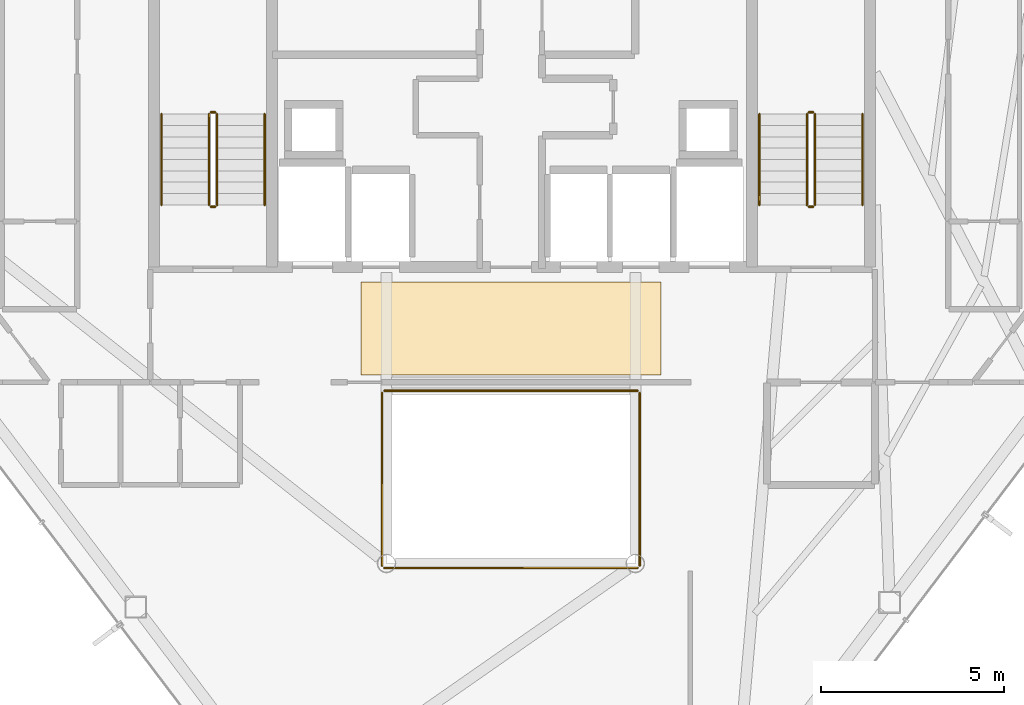
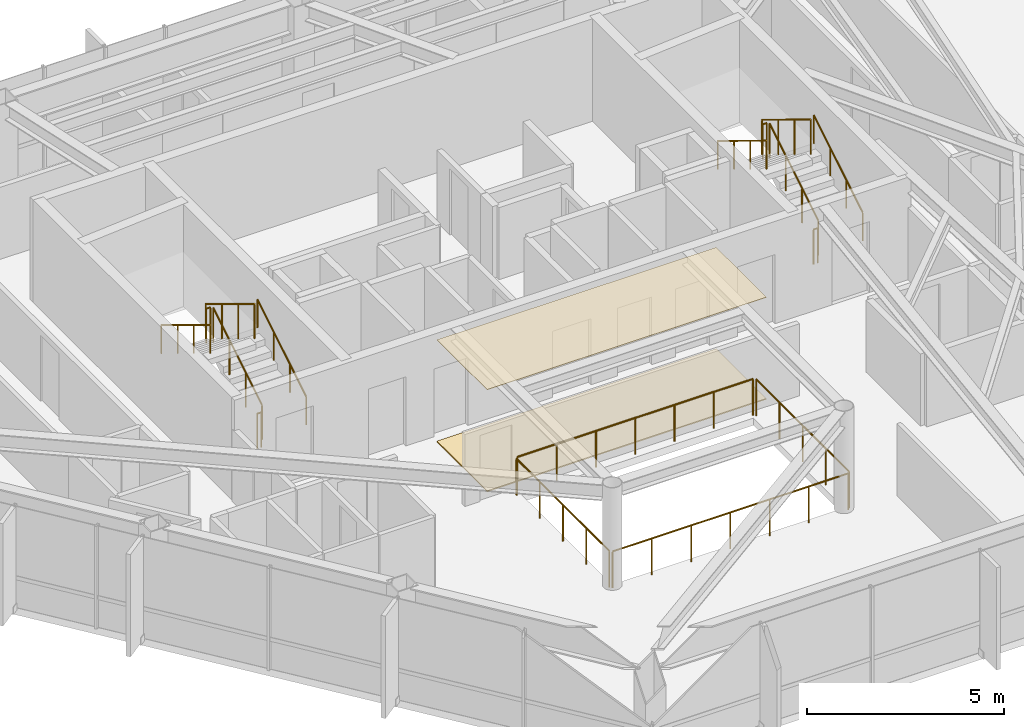
# One storey, part 25 of 25: 16 railings, 2 coverings.
"""IFC4 building model written with IfcOpenShell, lengths in metres."""

from ifc_helpers import new_model, si_unit, direction, frame, origin, origin_2d, place, context, subcontext, project, spatial, polyline, circle, outline, extrude, material, layer, layer_set, type_object, element, save


model = new_model("IFC4")

# Units and contexts
model_context = context("Model", 3, precision=1e-05, world=origin(), true_north=direction((0.0, 1.0)))
body_context = subcontext(model_context, "Body", "Model", "MODEL_VIEW")
ifc_project = project(units=[si_unit("LENGTHUNIT", "METRE"), si_unit("AREAUNIT", "SQUARE_METRE"), si_unit("VOLUMEUNIT", "CUBIC_METRE"), si_unit("PLANEANGLEUNIT", "RADIAN"), si_unit("MASSUNIT", "GRAM", prefix="KILO")], contexts=[model_context])

# Site, building, storey
site_placement = place(None, origin())
site = spatial("IfcSite", under=ifc_project, at=site_placement, CompositionType="ELEMENT")
building_placement = place(site_placement, origin())
building = spatial("IfcBuilding", under=site, at=building_placement, Name="Zarrinselat Tower", CompositionType="ELEMENT")
storey_placement = place(building_placement, frame((0.0, 0.0, 212.159912109375)))
storey = spatial("IfcBuildingStorey", under=building, at=storey_placement, Name="L52", CompositionType="ELEMENT", Elevation=212.159912109375)

# Coverings
ifc_material_1 = material(Name="Fire-Rated Gypsum Board Partition")
ifc_layer_1 = layer(ifc_material_1, 0.014892578125)
ifc_layer_set_1 = layer_set([ifc_layer_1], Name="Fire-Rated Gypsum Board Partition")
covering_type_1 = type_object("IfcCoveringType", Name="COV-CLG-AC15", PredefinedType="CEILING", material=ifc_layer_set_1)
covering_1_placement = place(storey_placement, frame((0.0, 0.0, 3.1650390625)))
element("IfcCovering", 1, at=covering_1_placement, inside=storey, type_object=covering_type_1, Name="L52 Lift Lobby Acoustic Ceiling", PredefinedType="CEILING", context=body_context, shape_type="SweptSolid", body=[
    extrude(outline(polyline([(34.300048828125, 30.35009765625), (42.5, 30.35009765625), (42.5, 32.89990234375), (34.300048828125, 32.89990234375), (34.300048828125, 30.35009765625)])), origin(), (0.0, 0.0, 1.0), 0.01513671875),
])
ifc_material_2 = material(Name="Precast concrete C40/50", Category="concrete")
ifc_layer_2 = layer(ifc_material_2, 0.034912109375)
ifc_layer_set_2 = layer_set([ifc_layer_2], Name="Precast concrete C40/50")
covering_type_2 = type_object("IfcCoveringType", Name="COV-FLR-CP35", PredefinedType="FLOORING", material=ifc_layer_set_2)
covering_2_placement = place(storey_placement, origin())
element("IfcCovering", 2, at=covering_2_placement, inside=storey, type_object=covering_type_2, Name="L52 Lift Lobby Stone Flooring", PredefinedType="FLOORING", context=body_context, shape_type="SweptSolid", body=[
    extrude(outline(polyline([(34.300048828125, 30.35009765625), (42.5, 30.35009765625), (42.5, 32.89990234375), (34.300048828125, 32.89990234375), (34.300048828125, 30.35009765625)])), origin(), (0.0, 0.0, 1.0), 0.03515625),
])

# Railings
ifc_material_3 = material(Name="Double Low-E Laminated Solar Glass", Category="glass")
railing_type_1 = type_object("IfcRailingType", Name="RLG-ATRIUM-BAL", PredefinedType="BALUSTRADE", material=ifc_material_3)
railing_1_placement = place(storey_placement, frame((34.93994140625, 25.080078125, 0.0)))
element("IfcRailing", 3, at=railing_1_placement, inside=storey, type_object=railing_type_1, Name="L52 Atrium Void Glass Balustrade S", PredefinedType="BALUSTRADE", context=body_context, shape_type="SweptSolid", body=[
    extrude(circle(Radius=0.02392578125, at=origin_2d()), frame((0.0, 0.0, 1.1259765625), z_axis=(1.0, 0.0, 0.0), x_axis=(0.0, 1.0, 0.0)), (0.0, 0.0, 1.0), 6.920166015625),
    extrude(circle(Radius=0.02099609375, at=origin_2d()), origin(), (0.0, 0.0, 1.0), 1.099853515625),
    extrude(circle(Radius=0.02099609375, at=origin_2d()), frame((1.1533203125, 0.0, 0.0)), (0.0, 0.0, 1.0), 1.099853515625),
    extrude(circle(Radius=0.02099609375, at=origin_2d()), frame((2.306640625, 0.0, 0.0)), (0.0, 0.0, 1.0), 1.099853515625),
    extrude(circle(Radius=0.02099609375, at=origin_2d()), frame((3.4599609375, 0.0, 0.0)), (0.0, 0.0, 1.0), 1.099853515625),
    extrude(circle(Radius=0.02099609375, at=origin_2d()), frame((4.613525390625, 0.0, 0.0)), (0.0, 0.0, 1.0), 1.099853515625),
    extrude(circle(Radius=0.02099609375, at=origin_2d()), frame((5.766845703125, 0.0, 0.0)), (0.0, 0.0, 1.0), 1.099853515625),
    extrude(circle(Radius=0.02099609375, at=origin_2d()), frame((6.920166015625, 0.0, 0.0)), (0.0, 0.0, 1.0), 1.099853515625),
])
railing_2_placement = place(storey_placement, frame((41.919921875, 25.139892578125, 0.0)))
element("IfcRailing", 4, at=railing_2_placement, inside=storey, type_object=railing_type_1, Name="L52 Atrium Void Glass Balustrade E", PredefinedType="BALUSTRADE", context=body_context, shape_type="SweptSolid", body=[
    extrude(circle(Radius=0.02392578125, at=origin_2d()), frame((0.0, 0.0, 1.1259765625), z_axis=(0.0, 1.0, 0.0), x_axis=(-1.0, 0.0, 0.0)), (0.0, 0.0, 1.0), 4.72021484375),
    extrude(circle(Radius=0.02099609375, at=origin_2d()), origin(), (0.0, 0.0, 1.0), 1.099853515625),
    extrude(circle(Radius=0.02099609375, at=origin_2d()), frame((0.0, 1.18017578125, 0.0)), (0.0, 0.0, 1.0), 1.099853515625),
    extrude(circle(Radius=0.02099609375, at=origin_2d()), frame((0.0, 2.360107421875, 0.0)), (0.0, 0.0, 1.0), 1.099853515625),
    extrude(circle(Radius=0.02099609375, at=origin_2d()), frame((0.0, 3.5400390625, 0.0)), (0.0, 0.0, 1.0), 1.099853515625),
    extrude(circle(Radius=0.02099609375, at=origin_2d()), frame((0.0, 4.72021484375, 0.0)), (0.0, 0.0, 1.0), 1.099853515625),
])
railing_3_placement = place(storey_placement, frame((41.860107421875, 29.919921875, 0.0)))
element("IfcRailing", 5, at=railing_3_placement, inside=storey, type_object=railing_type_1, Name="L52 Atrium Void Glass Balustrade N", PredefinedType="BALUSTRADE", context=body_context, shape_type="SweptSolid", body=[
    extrude(circle(Radius=0.02392578125, at=origin_2d()), frame((0.0, 0.0, 1.1259765625), z_axis=(-1.0, 0.0, 0.0), x_axis=(0.0, -1.0, 0.0)), (0.0, 0.0, 1.0), 6.920166015625),
    extrude(circle(Radius=0.02099609375, at=origin_2d()), origin(), (0.0, 0.0, 1.0), 1.099853515625),
    extrude(circle(Radius=0.02099609375, at=origin_2d()), frame((-1.1533203125, 0.0, 0.0)), (0.0, 0.0, 1.0), 1.099853515625),
    extrude(circle(Radius=0.02099609375, at=origin_2d()), frame((-2.306640625, 0.0, 0.0)), (0.0, 0.0, 1.0), 1.099853515625),
    extrude(circle(Radius=0.02099609375, at=origin_2d()), frame((-3.4599609375, 0.0, 0.0)), (0.0, 0.0, 1.0), 1.099853515625),
    extrude(circle(Radius=0.02099609375, at=origin_2d()), frame((-4.613525390625, 0.0, 0.0)), (0.0, 0.0, 1.0), 1.099853515625),
    extrude(circle(Radius=0.02099609375, at=origin_2d()), frame((-5.766845703125, 0.0, 0.0)), (0.0, 0.0, 1.0), 1.099853515625),
    extrude(circle(Radius=0.02099609375, at=origin_2d()), frame((-6.920166015625, 0.0, 0.0)), (0.0, 0.0, 1.0), 1.099853515625),
])
railing_4_placement = place(storey_placement, frame((34.8798828125, 29.860107421875, 0.0)))
element("IfcRailing", 6, at=railing_4_placement, inside=storey, type_object=railing_type_1, Name="L52 Atrium Void Glass Balustrade W", PredefinedType="BALUSTRADE", context=body_context, shape_type="SweptSolid", body=[
    extrude(circle(Radius=0.02392578125, at=origin_2d()), frame((0.0, 0.0, 1.1259765625), z_axis=(0.0, -1.0, 0.0), x_axis=(1.0, 0.0, 0.0)), (0.0, 0.0, 1.0), 4.72021484375),
    extrude(circle(Radius=0.02099609375, at=origin_2d()), origin(), (0.0, 0.0, 1.0), 1.099853515625),
    extrude(circle(Radius=0.02099609375, at=origin_2d()), frame((0.0, -1.18017578125, 0.0)), (0.0, 0.0, 1.0), 1.099853515625),
    extrude(circle(Radius=0.02099609375, at=origin_2d()), frame((0.0, -2.360107421875, 0.0)), (0.0, 0.0, 1.0), 1.099853515625),
    extrude(circle(Radius=0.02099609375, at=origin_2d()), frame((0.0, -3.5400390625, 0.0)), (0.0, 0.0, 1.0), 1.099853515625),
    extrude(circle(Radius=0.02099609375, at=origin_2d()), frame((0.0, -4.72021484375, 0.0)), (0.0, 0.0, 1.0), 1.099853515625),
])
ifc_material_4 = material(Name="Steel S355J2", Category="steel")
railing_type_2 = type_object("IfcRailingType", Name="RLG-STAIR-GUARD", PredefinedType="GUARDRAIL", material=ifc_material_4)
railing_5_placement = place(storey_placement, frame((30.3701171875, 35.0, 0.18896484375)))
element("IfcRailing", 7, at=railing_5_placement, inside=storey, type_object=railing_type_2, Name="L52 ST-1 stair guard 1", PredefinedType="GUARDRAIL", context=body_context, shape_type="SweptSolid", body=[
    extrude(circle(Radius=0.02392578125, at=origin_2d()), frame((0.0, 0.0, 1.076171875), z_axis=(0.0, 0.853941963558, 0.520368256982), x_axis=(-1.0, 0.0, 0.0)), (0.0, 0.0, 1.0), 2.904052734375),
    extrude(circle(Radius=0.02099609375, at=origin_2d()), origin(), (0.0, 0.0, 1.0), 1.050048828125),
    extrude(circle(Radius=0.02099609375, at=origin_2d()), frame((0.0, 0.82666015625, 0.503662109375)), (0.0, 0.0, 1.0), 1.050048828125),
    extrude(circle(Radius=0.02099609375, at=origin_2d()), frame((0.0, 1.6533203125, 1.007568359375)), (0.0, 0.0, 1.0), 1.050048828125),
    extrude(circle(Radius=0.02099609375, at=origin_2d()), frame((0.0, 2.47998046875, 1.51123046875)), (0.0, 0.0, 1.0), 1.050048828125),
])
railing_6_placement = place(storey_placement, frame((30.320068359375, 37.530029296875, 1.7001953125)))
element("IfcRailing", 8, at=railing_6_placement, inside=storey, type_object=railing_type_2, Name="L52 ST-1 stair guard 2", PredefinedType="GUARDRAIL", context=body_context, shape_type="SweptSolid", body=[
    extrude(circle(Radius=0.02392578125, at=origin_2d()), frame((0.0, 0.0, 1.076171875), z_axis=(-1.0, 0.0, 0.0), x_axis=(0.0, -1.0, 0.0)), (0.0, 0.0, 1.0), 0.1201171875),
    extrude(circle(Radius=0.02099609375, at=origin_2d()), origin(), (0.0, 0.0, 1.0), 1.050048828125),
    extrude(circle(Radius=0.02099609375, at=origin_2d()), frame((-0.1201171875, 0.0, 0.0)), (0.0, 0.0, 1.0), 1.050048828125),
])
railing_7_placement = place(storey_placement, frame((30.14990234375, 37.47998046875, 1.888916015625)))
element("IfcRailing", 9, at=railing_7_placement, inside=storey, type_object=railing_type_2, Name="L52 ST-1 stair guard 3", PredefinedType="GUARDRAIL", context=body_context, shape_type="SweptSolid", body=[
    extrude(circle(Radius=0.02392578125, at=origin_2d()), frame((0.0, 0.0, 1.076171875), z_axis=(0.0, -0.853941963558, 0.520368256982), x_axis=(1.0, 0.0, 0.0)), (0.0, 0.0, 1.0), 2.904052734375),
    extrude(circle(Radius=0.02099609375, at=origin_2d()), origin(), (0.0, 0.0, 1.0), 1.050048828125),
    extrude(circle(Radius=0.02099609375, at=origin_2d()), frame((0.0, -0.82666015625, 0.503662109375)), (0.0, 0.0, 1.0), 1.050048828125),
    extrude(circle(Radius=0.02099609375, at=origin_2d()), frame((0.0, -1.6533203125, 1.007568359375)), (0.0, 0.0, 1.0), 1.050048828125),
    extrude(circle(Radius=0.02099609375, at=origin_2d()), frame((0.0, -2.47998046875, 1.51123046875)), (0.0, 0.0, 1.0), 1.050048828125),
])
railing_8_placement = place(storey_placement, frame((30.320068359375, 34.949951171875, 0.0)))
element("IfcRailing", 10, at=railing_8_placement, inside=storey, type_object=railing_type_2, Name="L52 ST-1 stair guard 4", PredefinedType="GUARDRAIL", context=body_context, shape_type="SweptSolid", body=[
    extrude(circle(Radius=0.02392578125, at=origin_2d()), frame((0.0, 0.0, 1.076171875), z_axis=(-1.0, 0.0, 0.0), x_axis=(0.0, -1.0, 0.0)), (0.0, 0.0, 1.0), 0.1201171875),
    extrude(circle(Radius=0.02099609375, at=origin_2d()), origin(), (0.0, 0.0, 1.0), 1.050048828125),
    extrude(circle(Radius=0.02099609375, at=origin_2d()), frame((-0.1201171875, 0.0, 0.0)), (0.0, 0.0, 1.0), 1.050048828125),
])
railing_9_placement = place(storey_placement, frame((46.7099609375, 35.0, 0.18896484375)))
element("IfcRailing", 11, at=railing_9_placement, inside=storey, type_object=railing_type_2, Name="L52 ST-2 stair guard 1", PredefinedType="GUARDRAIL", context=body_context, shape_type="SweptSolid", body=[
    extrude(circle(Radius=0.02392578125, at=origin_2d()), frame((0.0, 0.0, 1.076171875), z_axis=(0.0, 0.853941963558, 0.520368256982), x_axis=(-1.0, 0.0, 0.0)), (0.0, 0.0, 1.0), 2.904052734375),
    extrude(circle(Radius=0.02099609375, at=origin_2d()), origin(), (0.0, 0.0, 1.0), 1.050048828125),
    extrude(circle(Radius=0.02099609375, at=origin_2d()), frame((0.0, 0.82666015625, 0.503662109375)), (0.0, 0.0, 1.0), 1.050048828125),
    extrude(circle(Radius=0.02099609375, at=origin_2d()), frame((0.0, 1.6533203125, 1.007568359375)), (0.0, 0.0, 1.0), 1.050048828125),
    extrude(circle(Radius=0.02099609375, at=origin_2d()), frame((0.0, 2.47998046875, 1.51123046875)), (0.0, 0.0, 1.0), 1.050048828125),
])
railing_10_placement = place(storey_placement, frame((46.659912109375, 37.530029296875, 1.7001953125)))
element("IfcRailing", 12, at=railing_10_placement, inside=storey, type_object=railing_type_2, Name="L52 ST-2 stair guard 2", PredefinedType="GUARDRAIL", context=body_context, shape_type="SweptSolid", body=[
    extrude(circle(Radius=0.02392578125, at=origin_2d()), frame((0.0, 0.0, 1.076171875), z_axis=(-1.0, 0.0, 0.0), x_axis=(0.0, -1.0, 0.0)), (0.0, 0.0, 1.0), 0.119873046875),
    extrude(circle(Radius=0.02099609375, at=origin_2d()), origin(), (0.0, 0.0, 1.0), 1.050048828125),
    extrude(circle(Radius=0.02099609375, at=origin_2d()), frame((-0.119873046875, 0.0, 0.0)), (0.0, 0.0, 1.0), 1.050048828125),
])
railing_11_placement = place(storey_placement, frame((46.489990234375, 37.47998046875, 1.888916015625)))
element("IfcRailing", 13, at=railing_11_placement, inside=storey, type_object=railing_type_2, Name="L52 ST-2 stair guard 3", PredefinedType="GUARDRAIL", context=body_context, shape_type="SweptSolid", body=[
    extrude(circle(Radius=0.02392578125, at=origin_2d()), frame((0.0, 0.0, 1.076171875), z_axis=(0.0, -0.853941963558, 0.520368256982), x_axis=(1.0, 0.0, 0.0)), (0.0, 0.0, 1.0), 2.904052734375),
    extrude(circle(Radius=0.02099609375, at=origin_2d()), origin(), (0.0, 0.0, 1.0), 1.050048828125),
    extrude(circle(Radius=0.02099609375, at=origin_2d()), frame((0.0, -0.82666015625, 0.503662109375)), (0.0, 0.0, 1.0), 1.050048828125),
    extrude(circle(Radius=0.02099609375, at=origin_2d()), frame((0.0, -1.6533203125, 1.007568359375)), (0.0, 0.0, 1.0), 1.050048828125),
    extrude(circle(Radius=0.02099609375, at=origin_2d()), frame((0.0, -2.47998046875, 1.51123046875)), (0.0, 0.0, 1.0), 1.050048828125),
])
railing_12_placement = place(storey_placement, frame((46.659912109375, 34.949951171875, 0.0)))
element("IfcRailing", 14, at=railing_12_placement, inside=storey, type_object=railing_type_2, Name="L52 ST-2 stair guard 4", PredefinedType="GUARDRAIL", context=body_context, shape_type="SweptSolid", body=[
    extrude(circle(Radius=0.02392578125, at=origin_2d()), frame((0.0, 0.0, 1.076171875), z_axis=(-1.0, 0.0, 0.0), x_axis=(0.0, -1.0, 0.0)), (0.0, 0.0, 1.0), 0.119873046875),
    extrude(circle(Radius=0.02099609375, at=origin_2d()), origin(), (0.0, 0.0, 1.0), 1.050048828125),
    extrude(circle(Radius=0.02099609375, at=origin_2d()), frame((-0.119873046875, 0.0, 0.0)), (0.0, 0.0, 1.0), 1.050048828125),
])
ifc_material_5 = material(Name="Steel S355J2", Category="steel")
railing_type_3 = type_object("IfcRailingType", Name="RLG-STAIR-HAND", PredefinedType="HANDRAIL", material=ifc_material_5)
railing_13_placement = place(storey_placement, frame((31.669921875, 35.0, 0.18896484375)))
element("IfcRailing", 15, at=railing_13_placement, inside=storey, type_object=railing_type_3, Name="L52 ST-1 stair handrail 1", PredefinedType="HANDRAIL", context=body_context, shape_type="SweptSolid", body=[
    extrude(circle(Radius=0.02392578125, at=origin_2d()), frame((0.0, 0.0, 0.8759765625), z_axis=(0.0, 0.853941963558, 0.520368256982), x_axis=(-1.0, 0.0, 0.0)), (0.0, 0.0, 1.0), 2.904052734375),
    extrude(circle(Radius=0.02099609375, at=origin_2d()), origin(), (0.0, 0.0, 1.0), 0.849853515625),
    extrude(circle(Radius=0.02099609375, at=origin_2d()), frame((0.0, 0.82666015625, 0.503662109375)), (0.0, 0.0, 1.0), 0.849853515625),
    extrude(circle(Radius=0.02099609375, at=origin_2d()), frame((0.0, 1.6533203125, 1.007568359375)), (0.0, 0.0, 1.0), 0.849853515625),
    extrude(circle(Radius=0.02099609375, at=origin_2d()), frame((0.0, 2.47998046875, 1.51123046875)), (0.0, 0.0, 1.0), 0.849853515625),
])
railing_14_placement = place(storey_placement, frame((28.85009765625, 37.47998046875, 1.888916015625)))
element("IfcRailing", 16, at=railing_14_placement, inside=storey, type_object=railing_type_3, Name="L52 ST-1 stair handrail 2", PredefinedType="HANDRAIL", context=body_context, shape_type="SweptSolid", body=[
    extrude(circle(Radius=0.02392578125, at=origin_2d()), frame((0.0, 0.0, 0.8759765625), z_axis=(0.0, -0.853941963558, 0.520368256982), x_axis=(1.0, 0.0, 0.0)), (0.0, 0.0, 1.0), 2.904052734375),
    extrude(circle(Radius=0.02099609375, at=origin_2d()), origin(), (0.0, 0.0, 1.0), 0.849853515625),
    extrude(circle(Radius=0.02099609375, at=origin_2d()), frame((0.0, -0.82666015625, 0.503662109375)), (0.0, 0.0, 1.0), 0.849853515625),
    extrude(circle(Radius=0.02099609375, at=origin_2d()), frame((0.0, -1.6533203125, 1.007568359375)), (0.0, 0.0, 1.0), 0.849853515625),
    extrude(circle(Radius=0.02099609375, at=origin_2d()), frame((0.0, -2.47998046875, 1.51123046875)), (0.0, 0.0, 1.0), 0.849853515625),
])
railing_15_placement = place(storey_placement, frame((48.010009765625, 35.0, 0.18896484375)))
element("IfcRailing", 17, at=railing_15_placement, inside=storey, type_object=railing_type_3, Name="L52 ST-2 stair handrail 1", PredefinedType="HANDRAIL", context=body_context, shape_type="SweptSolid", body=[
    extrude(circle(Radius=0.02392578125, at=origin_2d()), frame((0.0, 0.0, 0.8759765625), z_axis=(0.0, 0.853941963558, 0.520368256982), x_axis=(-1.0, 0.0, 0.0)), (0.0, 0.0, 1.0), 2.904052734375),
    extrude(circle(Radius=0.02099609375, at=origin_2d()), origin(), (0.0, 0.0, 1.0), 0.849853515625),
    extrude(circle(Radius=0.02099609375, at=origin_2d()), frame((0.0, 0.82666015625, 0.503662109375)), (0.0, 0.0, 1.0), 0.849853515625),
    extrude(circle(Radius=0.02099609375, at=origin_2d()), frame((0.0, 1.6533203125, 1.007568359375)), (0.0, 0.0, 1.0), 0.849853515625),
    extrude(circle(Radius=0.02099609375, at=origin_2d()), frame((0.0, 2.47998046875, 1.51123046875)), (0.0, 0.0, 1.0), 0.849853515625),
])
railing_16_placement = place(storey_placement, frame((45.18994140625, 37.47998046875, 1.888916015625)))
element("IfcRailing", 18, at=railing_16_placement, inside=storey, type_object=railing_type_3, Name="L52 ST-2 stair handrail 2", PredefinedType="HANDRAIL", context=body_context, shape_type="SweptSolid", body=[
    extrude(circle(Radius=0.02392578125, at=origin_2d()), frame((0.0, 0.0, 0.8759765625), z_axis=(0.0, -0.853941963558, 0.520368256982), x_axis=(1.0, 0.0, 0.0)), (0.0, 0.0, 1.0), 2.904052734375),
    extrude(circle(Radius=0.02099609375, at=origin_2d()), origin(), (0.0, 0.0, 1.0), 0.849853515625),
    extrude(circle(Radius=0.02099609375, at=origin_2d()), frame((0.0, -0.82666015625, 0.503662109375)), (0.0, 0.0, 1.0), 0.849853515625),
    extrude(circle(Radius=0.02099609375, at=origin_2d()), frame((0.0, -1.6533203125, 1.007568359375)), (0.0, 0.0, 1.0), 0.849853515625),
    extrude(circle(Radius=0.02099609375, at=origin_2d()), frame((0.0, -2.47998046875, 1.51123046875)), (0.0, 0.0, 1.0), 0.849853515625),
])

save(model, "model.ifc")
